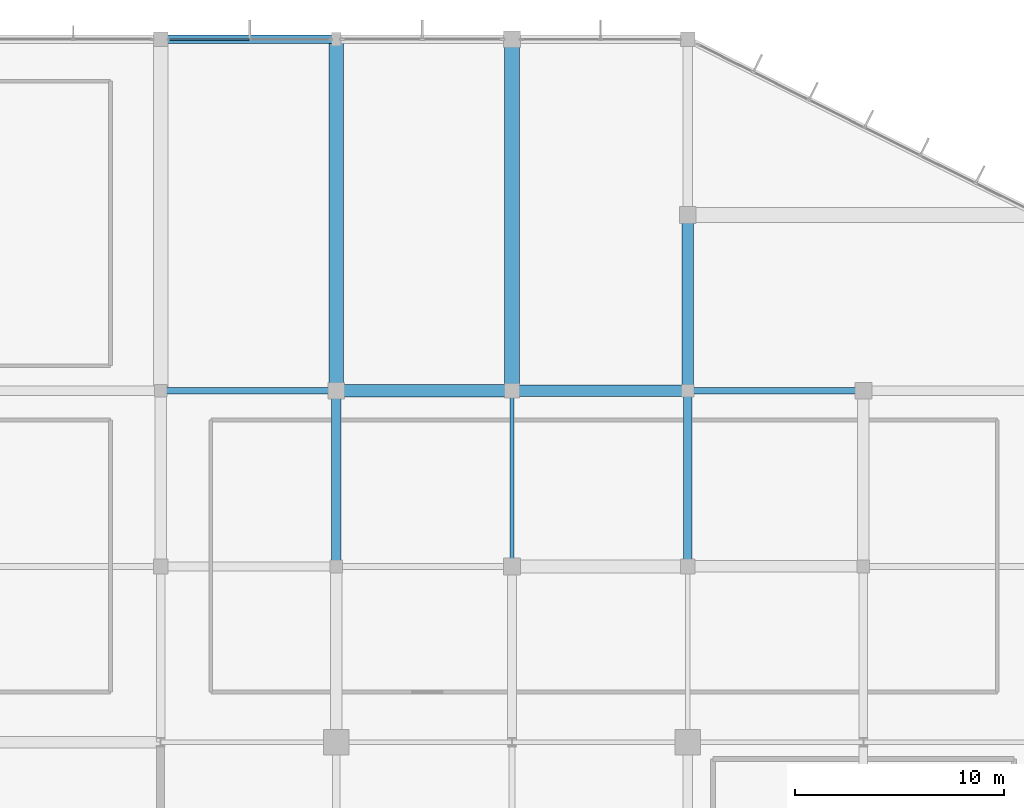
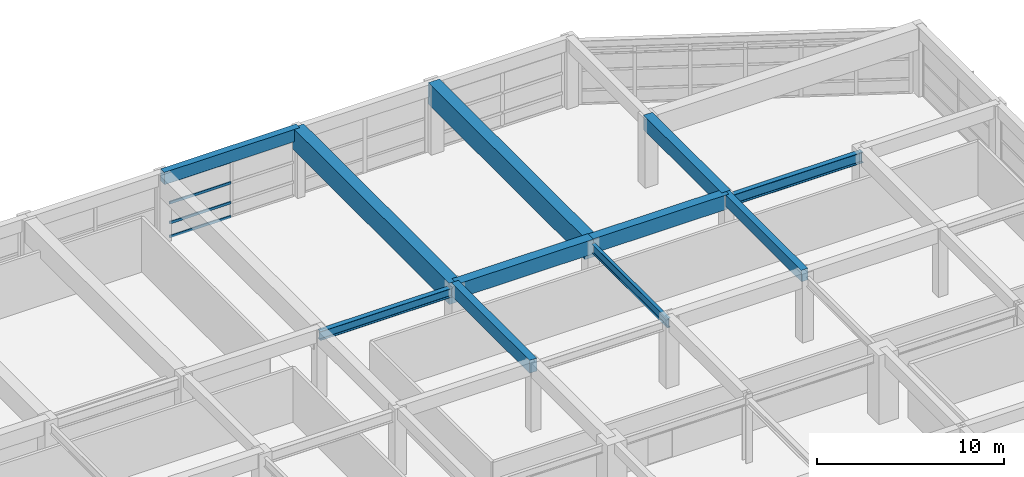
# One storey, part 40 of 65: 11 beams, 4 members, 1 element without a shape of its own.
"""IFC4 building model written with IfcOpenShell, lengths in metres."""

import ifcopenshell
import ifcopenshell.guid

model = None  # the IFC model being written
_history = None  # IfcOwnerHistory: only IFC2X3 demands one
_inside = {}  # id of a spatial element -> (the spatial element, [elements in it])
_under = {}  # id of a project, library or spatial element -> (it, [spatial elements below it])
_declared = {}  # id of a project -> (the project, [libraries it declares])
_typed = {}  # id of a type object -> (the type object, [elements of that type])
_made_of = {}  # id of a material, layer set ... -> (it, [elements and type objects made of it])


def new_model(schema):
    """Start an empty IFC model of exactly this schema.

    Asked for "IFC4X3", IfcOpenShell would pick the latest addendum, in which some entities
    have other attributes; the version numbers below select the first issue.
    IFC2X3 requires an IfcOwnerHistory on every rooted entity: one is made here for all.
    """
    global model, _history
    if schema == "IFC4X3":
        model = ifcopenshell.file(schema_version=(4, 3, 0, 0))
    else:
        model = ifcopenshell.file(schema=schema)
    _inside.clear()
    _under.clear()
    _declared.clear()
    _typed.clear()
    _made_of.clear()
    _history = None
    if model.schema == "IFC2X3":
        org = make("IfcOrganization", Name="unknown")
        user = make(
            "IfcPersonAndOrganization",
            ThePerson=make("IfcPerson", FamilyName="unknown"),
            TheOrganization=org,
        )
        app = make(
            "IfcApplication",
            ApplicationDeveloper=org,
            Version="unknown",
            ApplicationFullName="unknown",
            ApplicationIdentifier="unknown",
        )
        _history = make(
            "IfcOwnerHistory",
            OwningUser=user,
            OwningApplication=app,
            ChangeAction="ADDED",
            CreationDate=0,
        )
    return model


def make(cls, **values):
    """One entity of the class cls with the attributes given. An attribute that is None is left unset."""
    return model.create_entity(
        cls, **{name: value for name, value in values.items() if value is not None}
    )


def rooted(cls, **values):
    """An entity with a GlobalId (a new one), such as an element, a storey or a relation."""
    return make(cls, GlobalId=ifcopenshell.guid.new(), OwnerHistory=_history, **values)


def si_unit(unit_type, name, prefix=None):
    """IfcSIUnit, for example si_unit("LENGTHUNIT", "METRE", prefix="MILLI")."""
    return make("IfcSIUnit", UnitType=unit_type, Prefix=prefix, Name=name)


def assignment(units):
    """IfcUnitAssignment: the units of a project."""
    return None if units is None else make("IfcUnitAssignment", Units=units)


def point(xyz):
    """IfcCartesianPoint."""
    return None if xyz is None else make("IfcCartesianPoint", Coordinates=xyz)


def direction(xyz):
    """IfcDirection."""
    return None if xyz is None else make("IfcDirection", DirectionRatios=xyz)


def frame(location, z_axis=None, x_axis=None):
    """IfcAxis2Placement3D, a coordinate frame: its origin and axes. An axis left out is left unset."""
    return make(
        "IfcAxis2Placement3D",
        Location=point(location),
        Axis=direction(z_axis),
        RefDirection=direction(x_axis),
    )


def frame_2d(location, x_axis=None):
    """IfcAxis2Placement2D, a coordinate frame in the plane: its origin and x axis."""
    return make(
        "IfcAxis2Placement2D", Location=point(location), RefDirection=direction(x_axis)
    )


def origin():
    """The frame at (0, 0, 0) with its axes left unset."""
    return frame((0.0, 0.0, 0.0))


def origin_2d():
    """The frame at (0, 0) in the plane with its x axis left unset."""
    return frame_2d((0.0, 0.0))


def place(relative_to, where):
    """IfcLocalPlacement: puts the frame where relative to a parent placement (None: the world)."""
    return make(
        "IfcLocalPlacement", PlacementRelTo=relative_to, RelativePlacement=where
    )


def context(
    kind, dimensions, precision=None, world=None, true_north=None, identifier=None
):
    """IfcGeometricRepresentationContext, for example the 3D "Model" context."""
    return make(
        "IfcGeometricRepresentationContext",
        ContextIdentifier=identifier,
        ContextType=kind,
        CoordinateSpaceDimension=dimensions,
        Precision=precision,
        WorldCoordinateSystem=world,
        TrueNorth=true_north,
    )


def subcontext(parent, identifier, kind, view, scale=None):
    """IfcGeometricRepresentationSubContext, for example "Body" below "Model"."""
    return make(
        "IfcGeometricRepresentationSubContext",
        ContextIdentifier=identifier,
        ContextType=kind,
        ParentContext=parent,
        TargetScale=scale,
        TargetView=view,
    )


def project(units=None, contexts=None):
    """IfcProject with its units and contexts."""
    return rooted(
        "IfcProject",
        Name="project",
        RepresentationContexts=contexts,
        UnitsInContext=assignment(units),
    )


def spatial(cls, under=None, at=None, **own):
    """A site, building, storey or space (cls), placed at a placement, below another one or the project."""
    s = rooted(cls, ObjectPlacement=at, **own)
    if under is not None:
        _under.setdefault(under.id(), (under, []))[1].append(s)
    return s


def profile(cls, at=None, kind="AREA", **sizes):
    """A parametric profile (cls). Its sizes go by their IFC names, for example OverallWidth=200.0."""
    return make(cls, ProfileType=kind, Position=at, **sizes)


def rectangle(**sizes):
    """IfcRectangleProfileDef."""
    return profile("IfcRectangleProfileDef", **sizes)


def i_section(**sizes):
    """IfcIShapeProfileDef."""
    return profile("IfcIShapeProfileDef", **sizes)


def extrude(swept, where, along, depth):
    """IfcExtrudedAreaSolid: the profile swept, set in the frame where, extruded along a direction by depth."""
    return make(
        "IfcExtrudedAreaSolid",
        SweptArea=swept,
        Position=where,
        ExtrudedDirection=direction(along),
        Depth=depth,
    )


def shape(context_of_items, identifier, shape_type, items):
    """IfcShapeRepresentation: the items that make up one representation, for example the "Body"."""
    return make(
        "IfcShapeRepresentation",
        ContextOfItems=context_of_items,
        RepresentationIdentifier=identifier,
        RepresentationType=shape_type,
        Items=items,
    )


def material(Name=None, Category=None):
    """IfcMaterial."""
    return make("IfcMaterial", Name=Name, Category=Category)


def material_profile(
    of_material, cross_section, Name=None, Category=None, Priority=None
):
    """IfcMaterialProfile: a cross section and its material."""
    return make(
        "IfcMaterialProfile",
        Name=Name,
        Material=of_material,
        Profile=cross_section,
        Priority=Priority,
        Category=Category,
    )


def profile_set(profiles, Name=None, composite=None):
    """IfcMaterialProfileSet."""
    return make(
        "IfcMaterialProfileSet",
        Name=Name,
        MaterialProfiles=profiles,
        CompositeProfile=composite,
    )


def made_of(thing, what):
    """Note that an element or type object is made of a material, layer set ...; save() writes the relation."""
    if what is not None:
        _made_of.setdefault(what.id(), (what, []))[1].append(thing)
    return thing


def type_object(cls, material=None, **own):
    """A type object (cls), such as IfcWallType, which elements share."""
    return made_of(rooted(cls, **own), material)


def element(
    cls,
    number,
    at=None,
    inside=None,
    cuts=None,
    type_object=None,
    material=None,
    context=None,
    identifier="Body",
    shape_type=None,
    held_by="IfcProductDefinitionShape",
    body=None,
    shapes=None,
    **own,
):
    """One element of the class cls, such as IfcWall. Its Tag is "e" and its number.

    at: its placement. inside: the storey or other place that contains it. cuts: it is an
    opening in that element (IfcRelVoidsElement). A single representation is given by context,
    identifier, shape_type and body (its items); several are given by shapes. held_by: the class
    of the entity that holds the representations. save() writes the other relations.
    """
    e = rooted(cls, Tag="e%d" % number, ObjectPlacement=at, **own)
    if body is not None:
        shapes = [shape(context, identifier, shape_type, body)]
    if shapes is not None:
        e.Representation = make(held_by, Representations=shapes)
    if inside is not None:
        _inside.setdefault(inside.id(), (inside, []))[1].append(e)
    if cuts is not None:
        rooted(
            "IfcRelVoidsElement", RelatingBuildingElement=cuts, RelatedOpeningElement=e
        )
    if type_object is not None:
        _typed.setdefault(type_object.id(), (type_object, []))[1].append(e)
    return made_of(e, material)


def aggregate(whole, parts):
    """IfcRelAggregates: a whole, such as a stair, and the parts it consists of."""
    return rooted("IfcRelAggregates", RelatingObject=whole, RelatedObjects=parts)


def save(model, path):
    """Write the relations noted so far, then the file.

    IfcRelAggregates (storeys below a building ...), IfcRelContainedInSpatialStructure (elements
    in a storey), IfcRelDefinesByType, IfcRelAssociatesMaterial and IfcRelDeclares: one each for
    every whole, place, type object, material and project.
    """
    for whole, parts in _under.values():
        aggregate(whole, parts)
    for where, things in _inside.values():
        rooted(
            "IfcRelContainedInSpatialStructure",
            RelatedElements=things,
            RelatingStructure=where,
        )
    for kind, things in _typed.values():
        rooted("IfcRelDefinesByType", RelatedObjects=things, RelatingType=kind)
    for what, things in _made_of.values():
        rooted("IfcRelAssociatesMaterial", RelatedObjects=things, RelatingMaterial=what)
    for by, libraries in _declared.values():
        rooted("IfcRelDeclares", RelatingContext=by, RelatedDefinitions=libraries)
    model.write(path)


model = new_model("IFC4")

# Units and contexts
model_context = context("Model", 3, precision=1e-05, world=origin(), true_north=direction((0.0, 1.0)))
body_context = subcontext(model_context, "Body", "Model", "MODEL_VIEW")
ifc_project = project(units=[si_unit("LENGTHUNIT", "METRE"), si_unit("AREAUNIT", "SQUARE_METRE"), si_unit("VOLUMEUNIT", "CUBIC_METRE"), si_unit("PLANEANGLEUNIT", "RADIAN"), si_unit("MASSUNIT", "GRAM", prefix="KILO")], contexts=[model_context])

# Site, building, storey
site_placement = place(None, origin())
site = spatial("IfcSite", under=ifc_project, at=site_placement, CompositionType="ELEMENT")
building_placement = place(site_placement, origin())
building = spatial("IfcBuilding", under=site, at=building_placement, Name="Xuanlan Plaza Opera House", CompositionType="ELEMENT")
storey_placement = place(building_placement, frame((0.0, 0.0, 5.39990234375)))
storey = spatial("IfcBuildingStorey", under=building, at=storey_placement, Name="L01", CompositionType="ELEMENT", Elevation=5.39990234375)

# Curtain wall, members
ifc_material_1 = material(Name="Anodised Aluminium 6063-T6 and Low-E Glass", Category="aluminium")
curtain_wall_type = type_object("IfcCurtainWallType", Name="ENV-CW-CW-06", PredefinedType="USERDEFINED", material=ifc_material_1)
curtain_wall_placement = place(storey_placement, origin())
curtain_wall = element("IfcCurtainWall", 1, at=curtain_wall_placement, inside=storey, type_object=curtain_wall_type, Name="Acoustic Glazed Wall L01-033", ObjectType="ACOUSTIC GLAZED WALL", PredefinedType="USERDEFINED")
ifc_material_2 = material(Name="Anodised Aluminium 6063-T6", Category="aluminium")
ifc_material_profile_1 = material_profile(ifc_material_2, rectangle(XDim=0.080078125, YDim=0.1650390625, at=origin_2d()), Name="ALU-T 80x165")
ifc_profile_set_1 = profile_set([ifc_material_profile_1], Name="Anodised Aluminium 6063-T6")
member_type = type_object("IfcMemberType", Name="ENV-CWT-04", PredefinedType="USERDEFINED", material=ifc_profile_set_1)
member_1_placement = place(storey_placement, frame((130.22998046875, 117.60009765625, 0.0400390625), z_axis=(-1.0, 0.0, 0.0), x_axis=(0.0, -1.0, 0.0)))
member_1 = element("IfcMember", 2, at=member_1_placement, type_object=member_type, Name="CW-06 transom 2.1", ObjectType="TRANSOM", PredefinedType="USERDEFINED", context=body_context, shape_type="SweptSolid", body=[
    extrude(rectangle(XDim=0.080078125, YDim=0.1650390625, at=origin_2d()), origin(), (0.0, 0.0, 1.0), 3.794921875),
])
member_2_placement = place(storey_placement, frame((130.22998046875, 117.60009765625, 0.9501953125), z_axis=(-1.0, 0.0, 0.0), x_axis=(0.0, -1.0, 0.0)))
member_2 = element("IfcMember", 3, at=member_2_placement, type_object=member_type, Name="CW-06 transom 2.2", ObjectType="TRANSOM", PredefinedType="USERDEFINED", context=body_context, shape_type="SweptSolid", body=[
    extrude(rectangle(XDim=0.080078125, YDim=0.1650390625, at=origin_2d()), origin(), (0.0, 0.0, 1.0), 3.794921875),
])
member_3_placement = place(storey_placement, frame((130.22998046875, 117.60009765625, 2.25), z_axis=(-1.0, 0.0, 0.0), x_axis=(0.0, -1.0, 0.0)))
member_3 = element("IfcMember", 4, at=member_3_placement, type_object=member_type, Name="CW-06 transom 2.3", ObjectType="TRANSOM", PredefinedType="USERDEFINED", context=body_context, shape_type="SweptSolid", body=[
    extrude(rectangle(XDim=0.080078125, YDim=0.1650390625, at=origin_2d()), origin(), (0.0, 0.0, 1.0), 3.794921875),
])
member_4_placement = place(storey_placement, frame((130.22998046875, 117.60009765625, 3.64013671875), z_axis=(-1.0, 0.0, 0.0), x_axis=(0.0, -1.0, 0.0)))
member_4 = element("IfcMember", 5, at=member_4_placement, type_object=member_type, Name="CW-06 transom 2.4", ObjectType="TRANSOM", PredefinedType="USERDEFINED", context=body_context, shape_type="SweptSolid", body=[
    extrude(rectangle(XDim=0.080078125, YDim=0.1650390625, at=origin_2d()), origin(), (0.0, 0.0, 1.0), 3.794921875),
])
aggregate(curtain_wall, [member_1, member_2, member_3, member_4])

# Beams
ifc_material_3 = material(Name="Concrete C50", Category="concrete")
ifc_material_profile_2 = material_profile(ifc_material_3, rectangle(XDim=0.60009765625, YDim=0.949951171875, at=origin_2d()), Name="RC-BM 600x950")
ifc_profile_set_2 = profile_set([ifc_material_profile_2], Name="Concrete C50")
beam_type_1 = type_object("IfcBeamType", Name="STR-BM-B-01", PredefinedType="BEAM", material=ifc_profile_set_2)
beam_1_placement = place(storey_placement, frame((134.39990234375, 100.800048828125, 4.025146484375), z_axis=(1.0, 0.0, 0.0), x_axis=(0.0, 1.0, 0.0)))
element("IfcBeam", 6, at=beam_1_placement, inside=storey, type_object=beam_type_1, Name="Grid Beam X L01 17-18/M", PredefinedType="BEAM", context=body_context, shape_type="SweptSolid", body=[
    extrude(rectangle(XDim=0.60009765625, YDim=0.949951171875, at=origin_2d()), origin(), (0.0, 0.0, 1.0), 8.400146484375),
])
ifc_material_profile_3 = material_profile(ifc_material_3, rectangle(XDim=0.550048828125, YDim=0.949951171875, at=origin_2d()), Name="RC-BM 550x950")
ifc_profile_set_3 = profile_set([ifc_material_profile_3], Name="Concrete C50")
beam_type_2 = type_object("IfcBeamType", Name="STR-BM-B-02", PredefinedType="BEAM", material=ifc_profile_set_3)
for number, where, z_axis, x_axis, name in (
    (7, (142.800048828125, 100.800048828125, 4.025146484375), (1.0, 0.0, 0.0), (0.0, 1.0, 0.0), "Grid Beam X L01 18-19/M"),
    (8, (151.199951171875, 100.800048828125, 4.025146484375), (0.0, 1.0, 0.0), (-1.0, 0.0, 0.0), "Grid Beam Y L01 19/M-N"),
):
    element("IfcBeam", number, at=place(storey_placement, frame(where, z_axis=z_axis, x_axis=x_axis)), inside=storey, type_object=beam_type_2, Name=name, PredefinedType="BEAM", context=body_context, shape_type="SweptSolid", body=[
        extrude(rectangle(XDim=0.550048828125, YDim=0.949951171875, at=origin_2d()), origin(), (0.0, 0.0, 1.0), 8.39990234375),
    ])
ifc_material_4 = material(Name="Concrete C40", Category="concrete")
ifc_material_profile_4 = material_profile(ifc_material_4, rectangle(XDim=0.449951171875, YDim=0.85009765625, at=origin_2d()), Name="RC-BM 450x850")
ifc_profile_set_4 = profile_set([ifc_material_profile_4], Name="Concrete C40")
beam_type_3 = type_object("IfcBeamType", Name="STR-BM-B-04", PredefinedType="BEAM", material=ifc_profile_set_4)
beam_2_placement = place(storey_placement, frame((134.39990234375, 92.39990234375, 4.0751953125), z_axis=(0.0, 1.0, 0.0), x_axis=(-1.0, 0.0, 0.0)))
element("IfcBeam", 9, at=beam_2_placement, inside=storey, type_object=beam_type_3, Name="Grid Beam Y L01 17/L-M", PredefinedType="BEAM", context=body_context, shape_type="SweptSolid", body=[
    extrude(rectangle(XDim=0.449951171875, YDim=0.85009765625, at=origin_2d()), origin(), (0.0, 0.0, 1.0), 8.400146484375),
])
ifc_material_profile_5 = material_profile(ifc_material_4, rectangle(XDim=0.39990234375, YDim=0.75, at=origin_2d()), Name="RC-BM 400x750")
ifc_profile_set_5 = profile_set([ifc_material_profile_5], Name="Concrete C40")
beam_type_4 = type_object("IfcBeamType", Name="STR-BM-B-06", PredefinedType="BEAM", material=ifc_profile_set_5)
beam_3_placement = place(storey_placement, frame((151.199951171875, 92.39990234375, 4.125), z_axis=(0.0, 1.0, 0.0), x_axis=(-1.0, 0.0, 0.0)))
element("IfcBeam", 10, at=beam_3_placement, inside=storey, type_object=beam_type_4, Name="Grid Beam Y L01 19/L-M", PredefinedType="BEAM", context=body_context, shape_type="SweptSolid", body=[
    extrude(rectangle(XDim=0.39990234375, YDim=0.75, at=origin_2d()), origin(), (0.0, 0.0, 1.0), 8.400146484375),
])
ifc_material_profile_6 = material_profile(ifc_material_3, rectangle(XDim=0.699951171875, YDim=1.39990234375, at=origin_2d()), Name="RC-LG 700x1400")
ifc_profile_set_6 = profile_set([ifc_material_profile_6], Name="Concrete C50")
beam_type_5 = type_object("IfcBeamType", Name="STR-BM-LG-01", PredefinedType="BEAM", material=ifc_profile_set_6)
for number, where, z_axis, x_axis, name in (
    (11, (134.39990234375, 100.800048828125, 3.800048828125), (0.0, 1.0, 0.0), (-1.0, 0.0, 0.0), "Grid Beam Y L01 17/M-O"),
    (12, (142.800048828125, 100.800048828125, 3.800048828125), (0.0, 1.0, 0.0), (-1.0, 0.0, 0.0), "Grid Beam Y L01 18/M-O"),
):
    element("IfcBeam", number, at=place(storey_placement, frame(where, z_axis=z_axis, x_axis=x_axis)), inside=storey, type_object=beam_type_5, Name=name, PredefinedType="BEAM", context=body_context, shape_type="SweptSolid", body=[
        extrude(rectangle(XDim=0.699951171875, YDim=1.39990234375, at=origin_2d()), origin(), (0.0, 0.0, 1.0), 16.800048828125),
    ])
ifc_material_5 = material(Name="Steel Q355B", Category="steel")
ifc_material_profile_7 = material_profile(ifc_material_5, i_section(OverallWidth=0.300048828125, OverallDepth=0.699951171875, WebThickness=0.012939453125, FlangeThickness=0.02392578125, FilletRadius=0.02392578125, at=origin_2d()), Name="HN 700x300x13x24")
ifc_profile_set_7 = profile_set([ifc_material_profile_7], Name="Steel Q355B")
beam_type_6 = type_object("IfcBeamType", Name="STR-BM-SB-03", PredefinedType="BEAM", material=ifc_profile_set_7)
beam_4_placement = place(storey_placement, frame((151.199951171875, 100.800048828125, 3.885009765625), z_axis=(1.0, 0.0, 0.0), x_axis=(0.0, 1.0, 0.0)))
element("IfcBeam", 13, at=beam_4_placement, inside=storey, type_object=beam_type_6, Name="Grid Beam X L01 19-20/M", PredefinedType="BEAM", context=body_context, shape_type="SweptSolid", body=[
    extrude(i_section(OverallWidth=0.300048828125, OverallDepth=0.699951171875, WebThickness=0.012939453125, FlangeThickness=0.02392578125, FilletRadius=0.02392578125, at=origin_2d()), origin(), (0.0, 0.0, 1.0), 8.400146484375),
])
ifc_material_profile_8 = material_profile(ifc_material_5, i_section(OverallWidth=0.199951171875, OverallDepth=0.60009765625, WebThickness=0.010986328125, FlangeThickness=0.01708984375, FilletRadius=0.02197265625, at=origin_2d()), Name="HN 600x200x11x17")
ifc_profile_set_8 = profile_set([ifc_material_profile_8], Name="Steel Q355B")
beam_type_7 = type_object("IfcBeamType", Name="STR-BM-SB-04", PredefinedType="BEAM", material=ifc_profile_set_8)
beam_5_placement = place(storey_placement, frame((142.800048828125, 92.39990234375, 3.93505859375), z_axis=(0.0, 1.0, 0.0), x_axis=(-1.0, 0.0, 0.0)))
element("IfcBeam", 14, at=beam_5_placement, inside=storey, type_object=beam_type_7, Name="Grid Beam Y L01 18/L-M", PredefinedType="BEAM", context=body_context, shape_type="SweptSolid", body=[
    extrude(i_section(OverallWidth=0.199951171875, OverallDepth=0.60009765625, WebThickness=0.010986328125, FlangeThickness=0.01708984375, FilletRadius=0.02197265625, at=origin_2d()), origin(), (0.0, 0.0, 1.0), 8.400146484375),
])
ifc_material_profile_9 = material_profile(ifc_material_5, i_section(OverallWidth=0.300048828125, OverallDepth=0.587890625, WebThickness=0.011962890625, FlangeThickness=0.02001953125, FilletRadius=0.02392578125, at=origin_2d()), Name="HM 588x300x12x20")
ifc_profile_set_9 = profile_set([ifc_material_profile_9], Name="Steel Q355B")
beam_type_8 = type_object("IfcBeamType", Name="STR-BM-SB-06", PredefinedType="BEAM", material=ifc_profile_set_9)
beam_6_placement = place(storey_placement, frame((126.0, 100.800048828125, 3.941162109375), z_axis=(1.0, 0.0, 0.0), x_axis=(0.0, 1.0, 0.0)))
element("IfcBeam", 15, at=beam_6_placement, inside=storey, type_object=beam_type_8, Name="Grid Beam X L01 16-17/M", PredefinedType="BEAM", context=body_context, shape_type="SweptSolid", body=[
    extrude(i_section(OverallWidth=0.300048828125, OverallDepth=0.587890625, WebThickness=0.011962890625, FlangeThickness=0.02001953125, FilletRadius=0.02392578125, at=origin_2d()), origin(), (0.0, 0.0, 1.0), 8.39990234375),
])
ifc_material_profile_10 = material_profile(ifc_material_4, rectangle(XDim=0.39990234375, YDim=0.800048828125, at=origin_2d()), Name="RC-SPD 400x800")
ifc_profile_set_10 = profile_set([ifc_material_profile_10], Name="Concrete C40")
beam_type_9 = type_object("IfcBeamType", Name="STR-BM-SP-01", PredefinedType="SPANDREL", material=ifc_profile_set_10)
beam_7_placement = place(storey_placement, frame((126.0, 117.60009765625, 4.10009765625), z_axis=(1.0, 0.0, 0.0), x_axis=(0.0, 1.0, 0.0)))
element("IfcBeam", 16, at=beam_7_placement, inside=storey, type_object=beam_type_9, Name="Grid Beam X L01 16-17/O", PredefinedType="SPANDREL", context=body_context, shape_type="SweptSolid", body=[
    extrude(rectangle(XDim=0.39990234375, YDim=0.800048828125, at=origin_2d()), origin(), (0.0, 0.0, 1.0), 8.39990234375),
])

save(model, "model.ifc")
